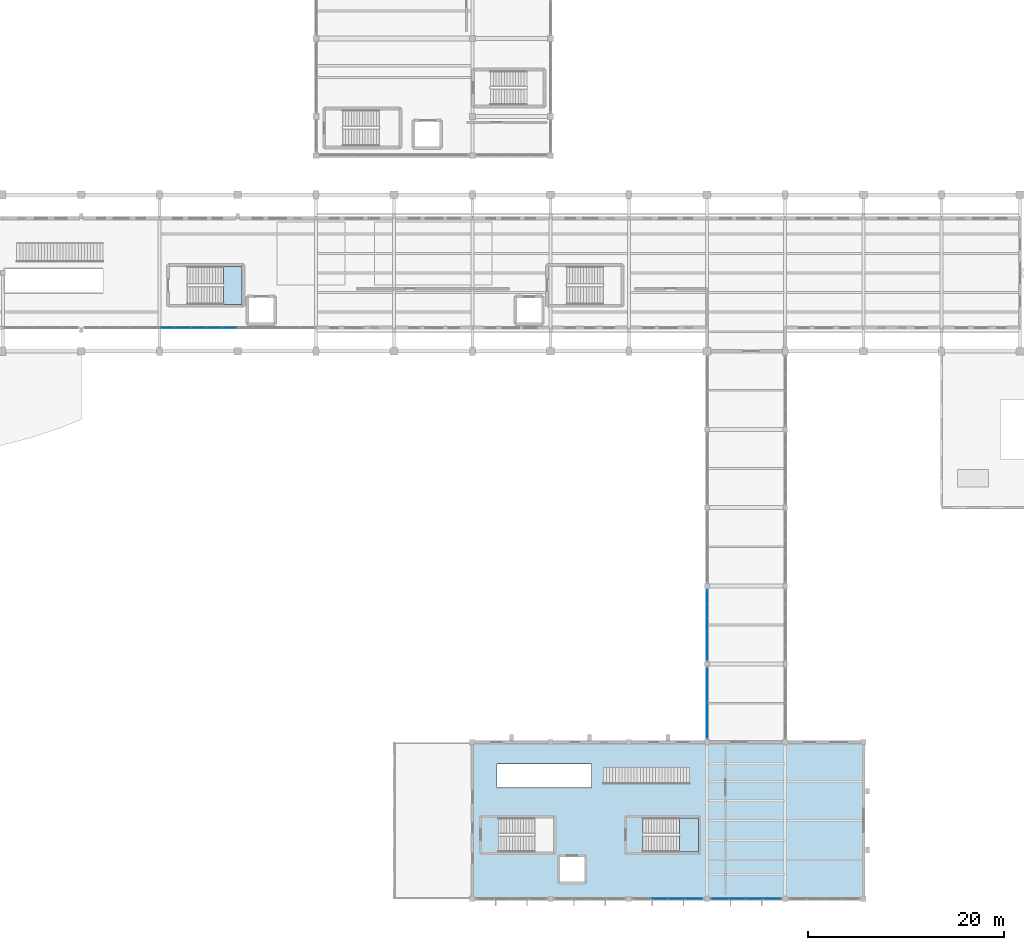
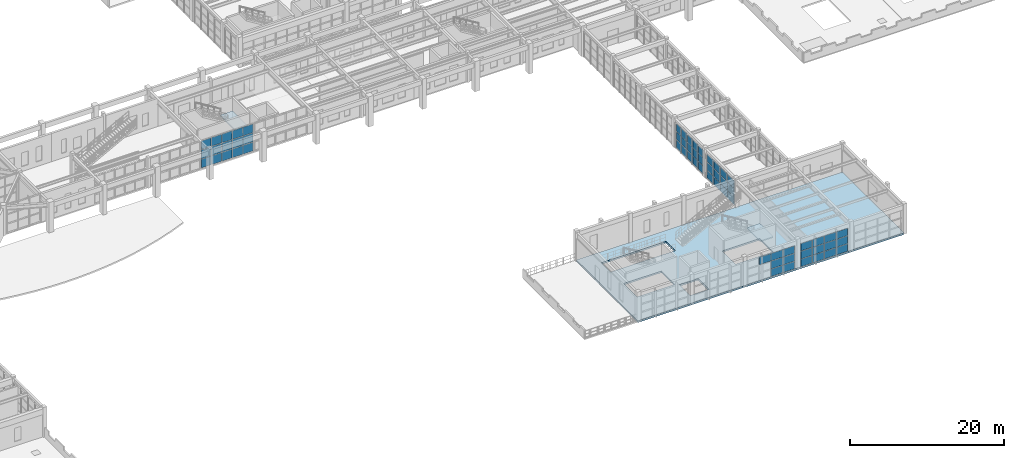
# One storey, part 31 of 59: 61 plates, 3 slabs, 7 elements without a shape of their own.
"""IFC4 building model written with IfcOpenShell, lengths in metres."""

from ifc_helpers import new_model, si_unit, direction, frame, origin, origin_2d, place, context, subcontext, project, spatial, polyline, rectangle, outline, extrude, material, layer, layer_set, type_object, element, aggregate, save


model = new_model("IFC4")

# Units and contexts
model_context = context("Model", 3, precision=1e-05, world=origin(), true_north=direction((0.0, 1.0)))
body_context = subcontext(model_context, "Body", "Model", "MODEL_VIEW")
ifc_project = project(units=[si_unit("LENGTHUNIT", "METRE"), si_unit("AREAUNIT", "SQUARE_METRE"), si_unit("VOLUMEUNIT", "CUBIC_METRE"), si_unit("PLANEANGLEUNIT", "RADIAN"), si_unit("MASSUNIT", "GRAM", prefix="KILO")], contexts=[model_context])

# Site, building, storey
site_placement = place(None, origin())
site = spatial("IfcSite", under=ifc_project, at=site_placement, CompositionType="ELEMENT")
building_placement = place(site_placement, origin())
building = spatial("IfcBuilding", under=site, at=building_placement, Name="Serraluz Foothill Cableway Terminal", CompositionType="ELEMENT")
storey_placement = place(building_placement, frame((0.0, 0.0, 4.800048828125)))
storey = spatial("IfcBuildingStorey", under=building, at=storey_placement, Name="L01", CompositionType="ELEMENT", Elevation=4.800048828125)

# Curtain wall, plates
ifc_material_1 = material(Name="Architectural bronze alloy C28000", Category="aluminium")
curtain_wall_type_1 = type_object("IfcCurtainWallType", Name="TYP-CW-740X490", PredefinedType="NOTDEFINED", material=ifc_material_1)
curtain_wall_1_placement = place(storey_placement, origin())
curtain_wall_1 = element("IfcCurtainWall", 1, at=curtain_wall_1_placement, inside=storey, type_object=curtain_wall_type_1, Name="Ribbed Glazed Curtain Wall CW-V1S-L01-64", PredefinedType="NOTDEFINED")
ifc_material_2 = material(Name="Translucent ribbed laminated channel glass", Category="glass")
ifc_layer_1 = layer(ifc_material_2, 0.028076171875, Name="Translucent ribbed laminated channel glass", Category="glass")
ifc_layer_set_1 = layer_set([ifc_layer_1], Name="Translucent ribbed laminated channel glass")
plate_type_1 = type_object("IfcPlateType", Name="TYP-CW-PNL-28", PredefinedType="CURTAIN_PANEL", material=ifc_layer_set_1)
plate_1_placement = place(storey_placement, frame((71.143310546875, 58.39990234375, 0.06005859375), z_axis=(0.0, 0.0, 1.0), x_axis=(-1.0, 0.0, 0.0)))
plate_1 = element("IfcPlate", 2, at=plate_1_placement, type_object=plate_type_1, Name="CW-07 panel 1.1", PredefinedType="CURTAIN_PANEL", context=body_context, shape_type="SweptSolid", body=[
    extrude(rectangle(XDim=1.4892578125, YDim=0.028076171875, at=origin_2d()), origin(), (0.0, 0.0, 1.0), 1.38330078125),
])
plate_2_placement = place(storey_placement, frame((71.143310546875, 58.39990234375, 1.50341796875), z_axis=(0.0, 0.0, 1.0), x_axis=(-1.0, 0.0, 0.0)))
plate_2 = element("IfcPlate", 3, at=plate_2_placement, type_object=plate_type_1, Name="CW-07 panel 1.2", PredefinedType="CURTAIN_PANEL", context=body_context, shape_type="SweptSolid", body=[
    extrude(rectangle(XDim=1.4892578125, YDim=0.028076171875, at=origin_2d()), origin(), (0.0, 0.0, 1.0), 1.413330078125),
])
plate_3_placement = place(storey_placement, frame((71.143310546875, 58.39990234375, 2.9765625), z_axis=(0.0, 0.0, 1.0), x_axis=(-1.0, 0.0, 0.0)))
plate_3 = element("IfcPlate", 4, at=plate_3_placement, type_object=plate_type_1, Name="CW-07 panel 1.3", PredefinedType="CURTAIN_PANEL", context=body_context, shape_type="SweptSolid", body=[
    extrude(rectangle(XDim=1.4892578125, YDim=0.028076171875, at=origin_2d()), origin(), (0.0, 0.0, 1.0), 1.38330078125),
])
plate_4_placement = place(storey_placement, frame((69.5791015625, 58.39990234375, 0.06005859375), z_axis=(0.0, 0.0, 1.0), x_axis=(-1.0, 0.0, 0.0)))
plate_4 = element("IfcPlate", 5, at=plate_4_placement, type_object=plate_type_1, Name="CW-07 panel 2.1", PredefinedType="CURTAIN_PANEL", context=body_context, shape_type="SweptSolid", body=[
    extrude(rectangle(XDim=1.519287109375, YDim=0.028076171875, at=origin_2d()), origin(), (0.0, 0.0, 1.0), 1.38330078125),
])
plate_5_placement = place(storey_placement, frame((69.5791015625, 58.39990234375, 1.50341796875), z_axis=(0.0, 0.0, 1.0), x_axis=(-1.0, 0.0, 0.0)))
plate_5 = element("IfcPlate", 6, at=plate_5_placement, type_object=plate_type_1, Name="CW-07 panel 2.2", PredefinedType="CURTAIN_PANEL", context=body_context, shape_type="SweptSolid", body=[
    extrude(rectangle(XDim=1.519287109375, YDim=0.028076171875, at=origin_2d()), origin(), (0.0, 0.0, 1.0), 1.413330078125),
])
plate_6_placement = place(storey_placement, frame((69.5791015625, 58.39990234375, 2.9765625), z_axis=(0.0, 0.0, 1.0), x_axis=(-1.0, 0.0, 0.0)))
plate_6 = element("IfcPlate", 7, at=plate_6_placement, type_object=plate_type_1, Name="CW-07 panel 2.3", PredefinedType="CURTAIN_PANEL", context=body_context, shape_type="SweptSolid", body=[
    extrude(rectangle(XDim=1.519287109375, YDim=0.028076171875, at=origin_2d()), origin(), (0.0, 0.0, 1.0), 1.38330078125),
])
plate_7_placement = place(storey_placement, frame((68.0, 58.39990234375, 0.06005859375), z_axis=(0.0, 0.0, 1.0), x_axis=(-1.0, 0.0, 0.0)))
plate_7 = element("IfcPlate", 8, at=plate_7_placement, type_object=plate_type_1, Name="CW-07 panel 3.1", PredefinedType="CURTAIN_PANEL", context=body_context, shape_type="SweptSolid", body=[
    extrude(rectangle(XDim=1.519287109375, YDim=0.028076171875, at=origin_2d()), origin(), (0.0, 0.0, 1.0), 1.38330078125),
])
plate_8_placement = place(storey_placement, frame((68.0, 58.39990234375, 1.50341796875), z_axis=(0.0, 0.0, 1.0), x_axis=(-1.0, 0.0, 0.0)))
plate_8 = element("IfcPlate", 9, at=plate_8_placement, type_object=plate_type_1, Name="CW-07 panel 3.2", PredefinedType="CURTAIN_PANEL", context=body_context, shape_type="SweptSolid", body=[
    extrude(rectangle(XDim=1.519287109375, YDim=0.028076171875, at=origin_2d()), origin(), (0.0, 0.0, 1.0), 1.413330078125),
])
plate_9_placement = place(storey_placement, frame((68.0, 58.39990234375, 2.9765625), z_axis=(0.0, 0.0, 1.0), x_axis=(-1.0, 0.0, 0.0)))
plate_9 = element("IfcPlate", 10, at=plate_9_placement, type_object=plate_type_1, Name="CW-07 panel 3.3", PredefinedType="CURTAIN_PANEL", context=body_context, shape_type="SweptSolid", body=[
    extrude(rectangle(XDim=1.519287109375, YDim=0.028076171875, at=origin_2d()), origin(), (0.0, 0.0, 1.0), 1.38330078125),
])
plate_10_placement = place(storey_placement, frame((66.4208984375, 58.39990234375, 0.06005859375), z_axis=(0.0, 0.0, 1.0), x_axis=(-1.0, 0.0, 0.0)))
plate_10 = element("IfcPlate", 11, at=plate_10_placement, type_object=plate_type_1, Name="CW-07 panel 4.1", PredefinedType="CURTAIN_PANEL", context=body_context, shape_type="SweptSolid", body=[
    extrude(rectangle(XDim=1.519287109375, YDim=0.028076171875, at=origin_2d()), origin(), (0.0, 0.0, 1.0), 1.38330078125),
])
plate_11_placement = place(storey_placement, frame((66.4208984375, 58.39990234375, 1.50341796875), z_axis=(0.0, 0.0, 1.0), x_axis=(-1.0, 0.0, 0.0)))
plate_11 = element("IfcPlate", 12, at=plate_11_placement, type_object=plate_type_1, Name="CW-07 panel 4.2", PredefinedType="CURTAIN_PANEL", context=body_context, shape_type="SweptSolid", body=[
    extrude(rectangle(XDim=1.519287109375, YDim=0.028076171875, at=origin_2d()), origin(), (0.0, 0.0, 1.0), 1.413330078125),
])
plate_12_placement = place(storey_placement, frame((66.4208984375, 58.39990234375, 2.9765625), z_axis=(0.0, 0.0, 1.0), x_axis=(-1.0, 0.0, 0.0)))
plate_12 = element("IfcPlate", 13, at=plate_12_placement, type_object=plate_type_1, Name="CW-07 panel 4.3", PredefinedType="CURTAIN_PANEL", context=body_context, shape_type="SweptSolid", body=[
    extrude(rectangle(XDim=1.519287109375, YDim=0.028076171875, at=origin_2d()), origin(), (0.0, 0.0, 1.0), 1.38330078125),
])
plate_13_placement = place(storey_placement, frame((64.856689453125, 58.39990234375, 0.06005859375), z_axis=(0.0, 0.0, 1.0), x_axis=(-1.0, 0.0, 0.0)))
plate_13 = element("IfcPlate", 14, at=plate_13_placement, type_object=plate_type_1, Name="CW-07 panel 5.1", PredefinedType="CURTAIN_PANEL", context=body_context, shape_type="SweptSolid", body=[
    extrude(rectangle(XDim=1.4892578125, YDim=0.028076171875, at=origin_2d()), origin(), (0.0, 0.0, 1.0), 1.38330078125),
])
plate_14_placement = place(storey_placement, frame((64.856689453125, 58.39990234375, 1.50341796875), z_axis=(0.0, 0.0, 1.0), x_axis=(-1.0, 0.0, 0.0)))
plate_14 = element("IfcPlate", 15, at=plate_14_placement, type_object=plate_type_1, Name="CW-07 panel 5.2", PredefinedType="CURTAIN_PANEL", context=body_context, shape_type="SweptSolid", body=[
    extrude(rectangle(XDim=1.4892578125, YDim=0.028076171875, at=origin_2d()), origin(), (0.0, 0.0, 1.0), 1.413330078125),
])
plate_15_placement = place(storey_placement, frame((64.856689453125, 58.39990234375, 2.9765625), z_axis=(0.0, 0.0, 1.0), x_axis=(-1.0, 0.0, 0.0)))
plate_15 = element("IfcPlate", 16, at=plate_15_placement, type_object=plate_type_1, Name="CW-07 panel 5.3", PredefinedType="CURTAIN_PANEL", context=body_context, shape_type="SweptSolid", body=[
    extrude(rectangle(XDim=1.4892578125, YDim=0.028076171875, at=origin_2d()), origin(), (0.0, 0.0, 1.0), 1.38330078125),
])
aggregate(curtain_wall_1, [plate_1, plate_2, plate_3, plate_4, plate_5, plate_6, plate_7, plate_8, plate_9, plate_10, plate_11, plate_12, plate_13, plate_14, plate_15])

curtain_wall_type_2 = type_object("IfcCurtainWallType", Name="TYP-CW-710X420", PredefinedType="NOTDEFINED", material=ifc_material_1)
curtain_wall_2_placement = place(storey_placement, origin())
curtain_wall_2 = element("IfcCurtainWall", 17, at=curtain_wall_2_placement, inside=storey, type_object=curtain_wall_type_2, Name="Ribbed Glazed Curtain Wall CW-CLW-L01-16", PredefinedType="NOTDEFINED")
plate_16_placement = place(storey_placement, frame((120.0, 17.329345703125, 0.06005859375), z_axis=(0.0, 0.0, 1.0), x_axis=(0.0, 1.0, 0.0)))
plate_16 = element("IfcPlate", 18, at=plate_16_placement, type_object=plate_type_1, Name="CW-01 panel 1.1", PredefinedType="CURTAIN_PANEL", context=body_context, shape_type="SweptSolid", body=[
    extrude(rectangle(XDim=1.708740234375, YDim=0.028076171875, at=origin_2d()), origin(), (0.0, 0.0, 1.0), 1.224609375),
])
plate_17_placement = place(storey_placement, frame((120.0, 17.329345703125, 1.3447265625), z_axis=(0.0, 0.0, 1.0), x_axis=(0.0, 1.0, 0.0)))
plate_17 = element("IfcPlate", 19, at=plate_17_placement, type_object=plate_type_1, Name="CW-01 panel 1.2", PredefinedType="CURTAIN_PANEL", context=body_context, shape_type="SweptSolid", body=[
    extrude(rectangle(XDim=1.708740234375, YDim=0.028076171875, at=origin_2d()), origin(), (0.0, 0.0, 1.0), 1.254638671875),
])
plate_18_placement = place(storey_placement, frame((120.0, 17.329345703125, 2.6591796875), z_axis=(0.0, 0.0, 1.0), x_axis=(0.0, 1.0, 0.0)))
plate_18 = element("IfcPlate", 20, at=plate_18_placement, type_object=plate_type_1, Name="CW-01 panel 1.3", PredefinedType="CURTAIN_PANEL", context=body_context, shape_type="SweptSolid", body=[
    extrude(rectangle(XDim=1.708740234375, YDim=0.028076171875, at=origin_2d()), origin(), (0.0, 0.0, 1.0), 1.224609375),
])
plate_19_placement = place(storey_placement, frame((120.0, 19.113037109375, 0.06005859375), z_axis=(0.0, 0.0, 1.0), x_axis=(0.0, 1.0, 0.0)))
plate_19 = element("IfcPlate", 21, at=plate_19_placement, type_object=plate_type_1, Name="CW-01 panel 2.1", PredefinedType="CURTAIN_PANEL", context=body_context, shape_type="SweptSolid", body=[
    extrude(rectangle(XDim=1.73876953125, YDim=0.028076171875, at=origin_2d()), origin(), (0.0, 0.0, 1.0), 1.224609375),
])
plate_20_placement = place(storey_placement, frame((120.0, 19.113037109375, 1.3447265625), z_axis=(0.0, 0.0, 1.0), x_axis=(0.0, 1.0, 0.0)))
plate_20 = element("IfcPlate", 22, at=plate_20_placement, type_object=plate_type_1, Name="CW-01 panel 2.2", PredefinedType="CURTAIN_PANEL", context=body_context, shape_type="SweptSolid", body=[
    extrude(rectangle(XDim=1.73876953125, YDim=0.028076171875, at=origin_2d()), origin(), (0.0, 0.0, 1.0), 1.254638671875),
])
plate_21_placement = place(storey_placement, frame((120.0, 19.113037109375, 2.6591796875), z_axis=(0.0, 0.0, 1.0), x_axis=(0.0, 1.0, 0.0)))
plate_21 = element("IfcPlate", 23, at=plate_21_placement, type_object=plate_type_1, Name="CW-01 panel 2.3", PredefinedType="CURTAIN_PANEL", context=body_context, shape_type="SweptSolid", body=[
    extrude(rectangle(XDim=1.73876953125, YDim=0.028076171875, at=origin_2d()), origin(), (0.0, 0.0, 1.0), 1.224609375),
])
plate_22_placement = place(storey_placement, frame((120.0, 20.911865234375, 0.06005859375), z_axis=(0.0, 0.0, 1.0), x_axis=(0.0, 1.0, 0.0)))
plate_22 = element("IfcPlate", 24, at=plate_22_placement, type_object=plate_type_1, Name="CW-01 panel 3.1", PredefinedType="CURTAIN_PANEL", context=body_context, shape_type="SweptSolid", body=[
    extrude(rectangle(XDim=1.73876953125, YDim=0.028076171875, at=origin_2d()), origin(), (0.0, 0.0, 1.0), 1.224609375),
])
plate_23_placement = place(storey_placement, frame((120.0, 20.911865234375, 1.3447265625), z_axis=(0.0, 0.0, 1.0), x_axis=(0.0, 1.0, 0.0)))
plate_23 = element("IfcPlate", 25, at=plate_23_placement, type_object=plate_type_1, Name="CW-01 panel 3.2", PredefinedType="CURTAIN_PANEL", context=body_context, shape_type="SweptSolid", body=[
    extrude(rectangle(XDim=1.73876953125, YDim=0.028076171875, at=origin_2d()), origin(), (0.0, 0.0, 1.0), 1.254638671875),
])
plate_24_placement = place(storey_placement, frame((120.0, 20.911865234375, 2.6591796875), z_axis=(0.0, 0.0, 1.0), x_axis=(0.0, 1.0, 0.0)))
plate_24 = element("IfcPlate", 26, at=plate_24_placement, type_object=plate_type_1, Name="CW-01 panel 3.3", PredefinedType="CURTAIN_PANEL", context=body_context, shape_type="SweptSolid", body=[
    extrude(rectangle(XDim=1.73876953125, YDim=0.028076171875, at=origin_2d()), origin(), (0.0, 0.0, 1.0), 1.224609375),
])
plate_25_placement = place(storey_placement, frame((120.0, 22.695556640625, 0.06005859375), z_axis=(0.0, 0.0, 1.0), x_axis=(0.0, 1.0, 0.0)))
plate_25 = element("IfcPlate", 27, at=plate_25_placement, type_object=plate_type_1, Name="CW-01 panel 4.1", PredefinedType="CURTAIN_PANEL", context=body_context, shape_type="SweptSolid", body=[
    extrude(rectangle(XDim=1.708740234375, YDim=0.028076171875, at=origin_2d()), origin(), (0.0, 0.0, 1.0), 1.224609375),
])
plate_26_placement = place(storey_placement, frame((120.0, 22.695556640625, 1.3447265625), z_axis=(0.0, 0.0, 1.0), x_axis=(0.0, 1.0, 0.0)))
plate_26 = element("IfcPlate", 28, at=plate_26_placement, type_object=plate_type_1, Name="CW-01 panel 4.2", PredefinedType="CURTAIN_PANEL", context=body_context, shape_type="SweptSolid", body=[
    extrude(rectangle(XDim=1.708740234375, YDim=0.028076171875, at=origin_2d()), origin(), (0.0, 0.0, 1.0), 1.254638671875),
])
plate_27_placement = place(storey_placement, frame((120.0, 22.695556640625, 2.6591796875), z_axis=(0.0, 0.0, 1.0), x_axis=(0.0, 1.0, 0.0)))
plate_27 = element("IfcPlate", 29, at=plate_27_placement, type_object=plate_type_1, Name="CW-01 panel 4.3", PredefinedType="CURTAIN_PANEL", context=body_context, shape_type="SweptSolid", body=[
    extrude(rectangle(XDim=1.708740234375, YDim=0.028076171875, at=origin_2d()), origin(), (0.0, 0.0, 1.0), 1.224609375),
])
aggregate(curtain_wall_2, [plate_16, plate_17, plate_18, plate_19, plate_20, plate_21, plate_22, plate_23, plate_24, plate_25, plate_26, plate_27])

curtain_wall_3_placement = place(storey_placement, origin())
curtain_wall_3 = element("IfcCurtainWall", 30, at=curtain_wall_3_placement, inside=storey, type_object=curtain_wall_type_2, Name="Ribbed Glazed Curtain Wall CW-CLW-L01-24", PredefinedType="NOTDEFINED")
plate_28_placement = place(storey_placement, frame((120.0, 25.126953125, 0.06005859375), z_axis=(0.0, 0.0, 1.0), x_axis=(0.0, 1.0, 0.0)))
plate_28 = element("IfcPlate", 31, at=plate_28_placement, type_object=plate_type_1, Name="CW-01 panel 1.1", PredefinedType="CURTAIN_PANEL", context=body_context, shape_type="SweptSolid", body=[
    extrude(rectangle(XDim=1.35400390625, YDim=0.028076171875, at=origin_2d()), origin(), (0.0, 0.0, 1.0), 1.224609375),
])
plate_29_placement = place(storey_placement, frame((120.0, 25.126953125, 1.3447265625), z_axis=(0.0, 0.0, 1.0), x_axis=(0.0, 1.0, 0.0)))
plate_29 = element("IfcPlate", 32, at=plate_29_placement, type_object=plate_type_1, Name="CW-01 panel 1.2", PredefinedType="CURTAIN_PANEL", context=body_context, shape_type="SweptSolid", body=[
    extrude(rectangle(XDim=1.35400390625, YDim=0.028076171875, at=origin_2d()), origin(), (0.0, 0.0, 1.0), 1.254638671875),
])
plate_30_placement = place(storey_placement, frame((120.0, 25.126953125, 2.6591796875), z_axis=(0.0, 0.0, 1.0), x_axis=(0.0, 1.0, 0.0)))
plate_30 = element("IfcPlate", 33, at=plate_30_placement, type_object=plate_type_1, Name="CW-01 panel 1.3", PredefinedType="CURTAIN_PANEL", context=body_context, shape_type="SweptSolid", body=[
    extrude(rectangle(XDim=1.35400390625, YDim=0.028076171875, at=origin_2d()), origin(), (0.0, 0.0, 1.0), 1.224609375),
])
plate_31_placement = place(storey_placement, frame((120.0, 26.555908203125, 0.06005859375), z_axis=(0.0, 0.0, 1.0), x_axis=(0.0, 1.0, 0.0)))
plate_31 = element("IfcPlate", 34, at=plate_31_placement, type_object=plate_type_1, Name="CW-01 panel 2.1", PredefinedType="CURTAIN_PANEL", context=body_context, shape_type="SweptSolid", body=[
    extrude(rectangle(XDim=1.384033203125, YDim=0.028076171875, at=origin_2d()), origin(), (0.0, 0.0, 1.0), 1.224609375),
])
plate_32_placement = place(storey_placement, frame((120.0, 26.555908203125, 1.3447265625), z_axis=(0.0, 0.0, 1.0), x_axis=(0.0, 1.0, 0.0)))
plate_32 = element("IfcPlate", 35, at=plate_32_placement, type_object=plate_type_1, Name="CW-01 panel 2.2", PredefinedType="CURTAIN_PANEL", context=body_context, shape_type="SweptSolid", body=[
    extrude(rectangle(XDim=1.384033203125, YDim=0.028076171875, at=origin_2d()), origin(), (0.0, 0.0, 1.0), 1.254638671875),
])
plate_33_placement = place(storey_placement, frame((120.0, 26.555908203125, 2.6591796875), z_axis=(0.0, 0.0, 1.0), x_axis=(0.0, 1.0, 0.0)))
plate_33 = element("IfcPlate", 36, at=plate_33_placement, type_object=plate_type_1, Name="CW-01 panel 2.3", PredefinedType="CURTAIN_PANEL", context=body_context, shape_type="SweptSolid", body=[
    extrude(rectangle(XDim=1.384033203125, YDim=0.028076171875, at=origin_2d()), origin(), (0.0, 0.0, 1.0), 1.224609375),
])
plate_34_placement = place(storey_placement, frame((120.0, 28.0, 0.06005859375), z_axis=(0.0, 0.0, 1.0), x_axis=(0.0, 1.0, 0.0)))
plate_34 = element("IfcPlate", 37, at=plate_34_placement, type_object=plate_type_1, Name="CW-01 panel 3.1", PredefinedType="CURTAIN_PANEL", context=body_context, shape_type="SweptSolid", body=[
    extrude(rectangle(XDim=1.384033203125, YDim=0.028076171875, at=origin_2d()), origin(), (0.0, 0.0, 1.0), 1.224609375),
])
plate_35_placement = place(storey_placement, frame((120.0, 28.0, 1.3447265625), z_axis=(0.0, 0.0, 1.0), x_axis=(0.0, 1.0, 0.0)))
plate_35 = element("IfcPlate", 38, at=plate_35_placement, type_object=plate_type_1, Name="CW-01 panel 3.2", PredefinedType="CURTAIN_PANEL", context=body_context, shape_type="SweptSolid", body=[
    extrude(rectangle(XDim=1.384033203125, YDim=0.028076171875, at=origin_2d()), origin(), (0.0, 0.0, 1.0), 1.254638671875),
])
plate_36_placement = place(storey_placement, frame((120.0, 28.0, 2.6591796875), z_axis=(0.0, 0.0, 1.0), x_axis=(0.0, 1.0, 0.0)))
plate_36 = element("IfcPlate", 39, at=plate_36_placement, type_object=plate_type_1, Name="CW-01 panel 3.3", PredefinedType="CURTAIN_PANEL", context=body_context, shape_type="SweptSolid", body=[
    extrude(rectangle(XDim=1.384033203125, YDim=0.028076171875, at=origin_2d()), origin(), (0.0, 0.0, 1.0), 1.224609375),
])
plate_37_placement = place(storey_placement, frame((120.0, 29.444091796875, 0.06005859375), z_axis=(0.0, 0.0, 1.0), x_axis=(0.0, 1.0, 0.0)))
plate_37 = element("IfcPlate", 40, at=plate_37_placement, type_object=plate_type_1, Name="CW-01 panel 4.1", PredefinedType="CURTAIN_PANEL", context=body_context, shape_type="SweptSolid", body=[
    extrude(rectangle(XDim=1.384033203125, YDim=0.028076171875, at=origin_2d()), origin(), (0.0, 0.0, 1.0), 1.224609375),
])
plate_38_placement = place(storey_placement, frame((120.0, 29.444091796875, 1.3447265625), z_axis=(0.0, 0.0, 1.0), x_axis=(0.0, 1.0, 0.0)))
plate_38 = element("IfcPlate", 41, at=plate_38_placement, type_object=plate_type_1, Name="CW-01 panel 4.2", PredefinedType="CURTAIN_PANEL", context=body_context, shape_type="SweptSolid", body=[
    extrude(rectangle(XDim=1.384033203125, YDim=0.028076171875, at=origin_2d()), origin(), (0.0, 0.0, 1.0), 1.254638671875),
])
plate_39_placement = place(storey_placement, frame((120.0, 29.444091796875, 2.6591796875), z_axis=(0.0, 0.0, 1.0), x_axis=(0.0, 1.0, 0.0)))
plate_39 = element("IfcPlate", 42, at=plate_39_placement, type_object=plate_type_1, Name="CW-01 panel 4.3", PredefinedType="CURTAIN_PANEL", context=body_context, shape_type="SweptSolid", body=[
    extrude(rectangle(XDim=1.384033203125, YDim=0.028076171875, at=origin_2d()), origin(), (0.0, 0.0, 1.0), 1.224609375),
])
plate_40_placement = place(storey_placement, frame((120.0, 30.873046875, 0.06005859375), z_axis=(0.0, 0.0, 1.0), x_axis=(0.0, 1.0, 0.0)))
plate_40 = element("IfcPlate", 43, at=plate_40_placement, type_object=plate_type_1, Name="CW-01 panel 5.1", PredefinedType="CURTAIN_PANEL", context=body_context, shape_type="SweptSolid", body=[
    extrude(rectangle(XDim=1.35400390625, YDim=0.028076171875, at=origin_2d()), origin(), (0.0, 0.0, 1.0), 1.224609375),
])
plate_41_placement = place(storey_placement, frame((120.0, 30.873046875, 1.3447265625), z_axis=(0.0, 0.0, 1.0), x_axis=(0.0, 1.0, 0.0)))
plate_41 = element("IfcPlate", 44, at=plate_41_placement, type_object=plate_type_1, Name="CW-01 panel 5.2", PredefinedType="CURTAIN_PANEL", context=body_context, shape_type="SweptSolid", body=[
    extrude(rectangle(XDim=1.35400390625, YDim=0.028076171875, at=origin_2d()), origin(), (0.0, 0.0, 1.0), 1.254638671875),
])
plate_42_placement = place(storey_placement, frame((120.0, 30.873046875, 2.6591796875), z_axis=(0.0, 0.0, 1.0), x_axis=(0.0, 1.0, 0.0)))
plate_42 = element("IfcPlate", 45, at=plate_42_placement, type_object=plate_type_1, Name="CW-01 panel 5.3", PredefinedType="CURTAIN_PANEL", context=body_context, shape_type="SweptSolid", body=[
    extrude(rectangle(XDim=1.35400390625, YDim=0.028076171875, at=origin_2d()), origin(), (0.0, 0.0, 1.0), 1.224609375),
])
aggregate(curtain_wall_3, [plate_28, plate_29, plate_30, plate_31, plate_32, plate_33, plate_34, plate_35, plate_36, plate_37, plate_38, plate_39, plate_40, plate_41, plate_42])

curtain_wall_type_3 = type_object("IfcCurtainWallType", Name="TYP-CW-480X420", PredefinedType="NOTDEFINED", material=ifc_material_1)
curtain_wall_4_placement = place(storey_placement, origin())
curtain_wall_4 = element("IfcCurtainWall", 46, at=curtain_wall_4_placement, inside=storey, type_object=curtain_wall_type_3, Name="Ribbed Glazed Curtain Wall CW-V3S-L01-112", PredefinedType="NOTDEFINED")
ifc_material_3 = material(Name="Laminated low-E safety glass", Category="glass")
ifc_layer_2 = layer(ifc_material_3, 0.031982421875, Name="Laminated low-E safety glass", Category="glass")
ifc_layer_set_2 = layer_set([ifc_layer_2], Name="Laminated low-E safety glass")
plate_type_2 = type_object("IfcPlateType", Name="TYP-CW-PNL-32", PredefinedType="CURTAIN_PANEL", material=ifc_layer_set_2)
plate_43_placement = place(storey_placement, frame((118.673828125, 0.0, 0.059814453125), z_axis=(0.0, 0.0, 1.0), x_axis=(-1.0, 0.0, 0.0)))
plate_43 = element("IfcPlate", 47, at=plate_43_placement, type_object=plate_type_2, Name="CW-15 panel 1.1", PredefinedType="CURTAIN_PANEL", context=body_context, shape_type="SweptSolid", body=[
    extrude(rectangle(XDim=1.702392578125, YDim=0.031982421875, at=origin_2d()), origin(), (0.0, 0.0, 1.0), 1.17333984375),
])
plate_44_placement = place(storey_placement, frame((118.673828125, 0.0, 1.29345703125), z_axis=(0.0, 0.0, 1.0), x_axis=(-1.0, 0.0, 0.0)))
plate_44 = element("IfcPlate", 48, at=plate_44_placement, type_object=plate_type_2, Name="CW-15 panel 1.2", PredefinedType="CURTAIN_PANEL", context=body_context, shape_type="SweptSolid", body=[
    extrude(rectangle(XDim=1.702392578125, YDim=0.031982421875, at=origin_2d()), origin(), (0.0, 0.0, 1.0), 1.203369140625),
])
plate_45_placement = place(storey_placement, frame((118.673828125, 0.0, 2.556640625), z_axis=(0.0, 0.0, 1.0), x_axis=(-1.0, 0.0, 0.0)))
plate_45 = element("IfcPlate", 49, at=plate_45_placement, type_object=plate_type_2, Name="CW-15 panel 1.3", PredefinedType="CURTAIN_PANEL", context=body_context, shape_type="SweptSolid", body=[
    extrude(rectangle(XDim=1.702392578125, YDim=0.031982421875, at=origin_2d()), origin(), (0.0, 0.0, 1.0), 1.17333984375),
])
plate_46_placement = place(storey_placement, frame((116.896240234375, 0.0, 0.059814453125), z_axis=(0.0, 0.0, 1.0), x_axis=(-1.0, 0.0, 0.0)))
plate_46 = element("IfcPlate", 50, at=plate_46_placement, type_object=plate_type_2, Name="CW-15 panel 2.1", PredefinedType="CURTAIN_PANEL", context=body_context, shape_type="SweptSolid", body=[
    extrude(rectangle(XDim=1.732421875, YDim=0.031982421875, at=origin_2d()), origin(), (0.0, 0.0, 1.0), 1.17333984375),
])
plate_47_placement = place(storey_placement, frame((116.896240234375, 0.0, 1.29345703125), z_axis=(0.0, 0.0, 1.0), x_axis=(-1.0, 0.0, 0.0)))
plate_47 = element("IfcPlate", 51, at=plate_47_placement, type_object=plate_type_2, Name="CW-15 panel 2.2", PredefinedType="CURTAIN_PANEL", context=body_context, shape_type="SweptSolid", body=[
    extrude(rectangle(XDim=1.732421875, YDim=0.031982421875, at=origin_2d()), origin(), (0.0, 0.0, 1.0), 1.203369140625),
])
plate_48_placement = place(storey_placement, frame((116.896240234375, 0.0, 2.556640625), z_axis=(0.0, 0.0, 1.0), x_axis=(-1.0, 0.0, 0.0)))
plate_48 = element("IfcPlate", 52, at=plate_48_placement, type_object=plate_type_2, Name="CW-15 panel 2.3", PredefinedType="CURTAIN_PANEL", context=body_context, shape_type="SweptSolid", body=[
    extrude(rectangle(XDim=1.732421875, YDim=0.031982421875, at=origin_2d()), origin(), (0.0, 0.0, 1.0), 1.17333984375),
])
plate_49_placement = place(storey_placement, frame((115.103759765625, 0.0, 2.556640625), z_axis=(0.0, 0.0, 1.0), x_axis=(-1.0, 0.0, 0.0)))
plate_49 = element("IfcPlate", 53, at=plate_49_placement, type_object=plate_type_2, Name="CW-15 panel 3.3", PredefinedType="CURTAIN_PANEL", context=body_context, shape_type="SweptSolid", body=[
    extrude(rectangle(XDim=1.732421875, YDim=0.031982421875, at=origin_2d()), origin(), (0.0, 0.0, 1.0), 1.17333984375),
])
aggregate(curtain_wall_4, [plate_43, plate_44, plate_45, plate_46, plate_47, plate_48, plate_49])

curtain_wall_type_4 = type_object("IfcCurtainWallType", Name="TYP-CW-440X360", PredefinedType="NOTDEFINED", material=ifc_material_1)
curtain_wall_5_placement = place(storey_placement, origin())
curtain_wall_5 = element("IfcCurtainWall", 54, at=curtain_wall_5_placement, inside=storey, type_object=curtain_wall_type_4, Name="Ribbed Glazed Curtain Wall CW-V3S-L01-120", PredefinedType="NOTDEFINED")
plate_50_placement = place(storey_placement, frame((126.673828125, 0.0, 0.059814453125), z_axis=(0.0, 0.0, 1.0), x_axis=(-1.0, 0.0, 0.0)))
plate_50 = element("IfcPlate", 55, at=plate_50_placement, type_object=plate_type_2, Name="CW-16 panel 1.1", PredefinedType="CURTAIN_PANEL", context=body_context, shape_type="SweptSolid", body=[
    extrude(rectangle(XDim=1.702392578125, YDim=0.031982421875, at=origin_2d()), origin(), (0.0, 0.0, 1.0), 1.17333984375),
])
plate_51_placement = place(storey_placement, frame((126.673828125, 0.0, 1.29345703125), z_axis=(0.0, 0.0, 1.0), x_axis=(-1.0, 0.0, 0.0)))
plate_51 = element("IfcPlate", 56, at=plate_51_placement, type_object=plate_type_2, Name="CW-16 panel 1.2", PredefinedType="CURTAIN_PANEL", context=body_context, shape_type="SweptSolid", body=[
    extrude(rectangle(XDim=1.702392578125, YDim=0.031982421875, at=origin_2d()), origin(), (0.0, 0.0, 1.0), 1.203369140625),
])
plate_52_placement = place(storey_placement, frame((126.673828125, 0.0, 2.556640625), z_axis=(0.0, 0.0, 1.0), x_axis=(-1.0, 0.0, 0.0)))
plate_52 = element("IfcPlate", 57, at=plate_52_placement, type_object=plate_type_2, Name="CW-16 panel 1.3", PredefinedType="CURTAIN_PANEL", context=body_context, shape_type="SweptSolid", body=[
    extrude(rectangle(XDim=1.702392578125, YDim=0.031982421875, at=origin_2d()), origin(), (0.0, 0.0, 1.0), 1.17333984375),
])
plate_53_placement = place(storey_placement, frame((124.896240234375, 0.0, 0.059814453125), z_axis=(0.0, 0.0, 1.0), x_axis=(-1.0, 0.0, 0.0)))
plate_53 = element("IfcPlate", 58, at=plate_53_placement, type_object=plate_type_2, Name="CW-16 panel 2.1", PredefinedType="CURTAIN_PANEL", context=body_context, shape_type="SweptSolid", body=[
    extrude(rectangle(XDim=1.732421875, YDim=0.031982421875, at=origin_2d()), origin(), (0.0, 0.0, 1.0), 1.17333984375),
])
plate_54_placement = place(storey_placement, frame((124.896240234375, 0.0, 1.29345703125), z_axis=(0.0, 0.0, 1.0), x_axis=(-1.0, 0.0, 0.0)))
plate_54 = element("IfcPlate", 59, at=plate_54_placement, type_object=plate_type_2, Name="CW-16 panel 2.2", PredefinedType="CURTAIN_PANEL", context=body_context, shape_type="SweptSolid", body=[
    extrude(rectangle(XDim=1.732421875, YDim=0.031982421875, at=origin_2d()), origin(), (0.0, 0.0, 1.0), 1.203369140625),
])
plate_55_placement = place(storey_placement, frame((124.896240234375, 0.0, 2.556640625), z_axis=(0.0, 0.0, 1.0), x_axis=(-1.0, 0.0, 0.0)))
plate_55 = element("IfcPlate", 60, at=plate_55_placement, type_object=plate_type_2, Name="CW-16 panel 2.3", PredefinedType="CURTAIN_PANEL", context=body_context, shape_type="SweptSolid", body=[
    extrude(rectangle(XDim=1.732421875, YDim=0.031982421875, at=origin_2d()), origin(), (0.0, 0.0, 1.0), 1.17333984375),
])
plate_56_placement = place(storey_placement, frame((123.103759765625, 0.0, 0.059814453125), z_axis=(0.0, 0.0, 1.0), x_axis=(-1.0, 0.0, 0.0)))
plate_56 = element("IfcPlate", 61, at=plate_56_placement, type_object=plate_type_2, Name="CW-16 panel 3.1", PredefinedType="CURTAIN_PANEL", context=body_context, shape_type="SweptSolid", body=[
    extrude(rectangle(XDim=1.732421875, YDim=0.031982421875, at=origin_2d()), origin(), (0.0, 0.0, 1.0), 1.17333984375),
])
plate_57_placement = place(storey_placement, frame((123.103759765625, 0.0, 1.29345703125), z_axis=(0.0, 0.0, 1.0), x_axis=(-1.0, 0.0, 0.0)))
plate_57 = element("IfcPlate", 62, at=plate_57_placement, type_object=plate_type_2, Name="CW-16 panel 3.2", PredefinedType="CURTAIN_PANEL", context=body_context, shape_type="SweptSolid", body=[
    extrude(rectangle(XDim=1.732421875, YDim=0.031982421875, at=origin_2d()), origin(), (0.0, 0.0, 1.0), 1.203369140625),
])
plate_58_placement = place(storey_placement, frame((123.103759765625, 0.0, 2.556640625), z_axis=(0.0, 0.0, 1.0), x_axis=(-1.0, 0.0, 0.0)))
plate_58 = element("IfcPlate", 63, at=plate_58_placement, type_object=plate_type_2, Name="CW-16 panel 3.3", PredefinedType="CURTAIN_PANEL", context=body_context, shape_type="SweptSolid", body=[
    extrude(rectangle(XDim=1.732421875, YDim=0.031982421875, at=origin_2d()), origin(), (0.0, 0.0, 1.0), 1.17333984375),
])
plate_59_placement = place(storey_placement, frame((121.326171875, 0.0, 0.059814453125), z_axis=(0.0, 0.0, 1.0), x_axis=(-1.0, 0.0, 0.0)))
plate_59 = element("IfcPlate", 64, at=plate_59_placement, type_object=plate_type_2, Name="CW-16 panel 4.1", PredefinedType="CURTAIN_PANEL", context=body_context, shape_type="SweptSolid", body=[
    extrude(rectangle(XDim=1.702392578125, YDim=0.031982421875, at=origin_2d()), origin(), (0.0, 0.0, 1.0), 1.17333984375),
])
plate_60_placement = place(storey_placement, frame((121.326171875, 0.0, 1.29345703125), z_axis=(0.0, 0.0, 1.0), x_axis=(-1.0, 0.0, 0.0)))
plate_60 = element("IfcPlate", 65, at=plate_60_placement, type_object=plate_type_2, Name="CW-16 panel 4.2", PredefinedType="CURTAIN_PANEL", context=body_context, shape_type="SweptSolid", body=[
    extrude(rectangle(XDim=1.702392578125, YDim=0.031982421875, at=origin_2d()), origin(), (0.0, 0.0, 1.0), 1.203369140625),
])
plate_61_placement = place(storey_placement, frame((121.326171875, 0.0, 2.556640625), z_axis=(0.0, 0.0, 1.0), x_axis=(-1.0, 0.0, 0.0)))
plate_61 = element("IfcPlate", 66, at=plate_61_placement, type_object=plate_type_2, Name="CW-16 panel 4.3", PredefinedType="CURTAIN_PANEL", context=body_context, shape_type="SweptSolid", body=[
    extrude(rectangle(XDim=1.702392578125, YDim=0.031982421875, at=origin_2d()), origin(), (0.0, 0.0, 1.0), 1.17333984375),
])
aggregate(curtain_wall_5, [plate_50, plate_51, plate_52, plate_53, plate_54, plate_55, plate_56, plate_57, plate_58, plate_59, plate_60, plate_61])

# Slab
ifc_material_4 = material(Name="Concrete C28/35 (f'c 28 MPa)", Category="concrete")
ifc_layer_3 = layer(ifc_material_4, 0.260009765625, Name="Concrete C28/35 (f'c 28 MPa)", Category="concrete")
ifc_layer_set_3 = layer_set([ifc_layer_3], Name="Concrete C28/35 (f'c 28 MPa)")
slab_type_1 = type_object("IfcSlabType", Name="TYP-SLB-FLR-260", PredefinedType="FLOOR", material=ifc_layer_set_3)
slab_1_placement = place(storey_placement, frame((0.0, 0.0, -0.260009765625)))
element("IfcSlab", 67, at=slab_1_placement, inside=storey, type_object=slab_type_1, Name="Structural Slab SLB-L01-V3A", PredefinedType="FLOOR", context=body_context, shape_type="SweptSolid", body=[
    extrude(outline(polyline([(96.0, 0.0), (136.0, 0.0), (136.0, 16.0), (96.0, 16.0), (96.0, 0.0)]), holes=[polyline([(98.659912109375, 4.800048828125), (104.31005859375, 4.800048828125), (104.31005859375, 8.280029296875), (98.659912109375, 8.280029296875), (98.659912109375, 4.800048828125)]), polyline([(113.4599609375, 4.800048828125), (119.110107421875, 4.800048828125), (119.110107421875, 8.280029296875), (113.4599609375, 8.280029296875), (113.4599609375, 4.800048828125)]), polyline([(104.800048828125, 1.60009765625), (107.60009765625, 1.60009765625), (107.60009765625, 4.39990234375), (104.800048828125, 4.39990234375), (104.800048828125, 1.60009765625)]), polyline([(98.5, 11.39990234375), (108.199951171875, 11.39990234375), (108.199951171875, 13.800048828125), (98.5, 13.800048828125), (98.5, 11.39990234375)])]), origin(), (0.0, 0.0, 1.0), 0.260009765625),
])

# Stair, slab
ifc_material_5 = material(Name="Concrete C35/45 (f'c 35 MPa)", Category="concrete")
stair_type_1 = type_object("IfcStairType", Name="TYP-ST-DOG-186-48", PredefinedType="HALF_TURN_STAIR", material=ifc_material_5)
stair_1_placement = place(storey_placement, origin())
stair_1 = element("IfcStair", 68, at=stair_1_placement, inside=storey, type_object=stair_type_1, Name="L01 ST-03", PredefinedType="HALF_TURN_STAIR")
ifc_layer_4 = layer(ifc_material_4, 0.199951171875, Name="Concrete C28/35 (f'c 28 MPa)", Category="concrete")
ifc_layer_set_4 = layer_set([ifc_layer_4], Name="Concrete C28/35 (f'c 28 MPa)")
slab_type_2 = type_object("IfcSlabType", Name="TYP-SLB-LND-200", PredefinedType="LANDING", material=ifc_layer_set_4)
slab_2_placement = place(storey_placement, frame((0.0, 0.0, 2.199951171875)))
slab_2 = element("IfcSlab", 69, at=slab_2_placement, type_object=slab_type_2, Name="ST-03 landing 1", PredefinedType="LANDING", context=body_context, shape_type="SweptSolid", body=[
    extrude(outline(polyline([(70.56494140625, 60.800048828125), (72.425048828125, 60.800048828125), (72.425048828125, 64.679931640625), (70.56494140625, 64.679931640625), (70.56494140625, 60.800048828125)])), origin(), (0.0, 0.0, 1.0), 0.199951171875),
])
aggregate(stair_1, [slab_2])

stair_type_2 = type_object("IfcStairType", Name="TYP-ST-DOG-166-48", PredefinedType="HALF_TURN_STAIR", material=ifc_material_5)
stair_2_placement = place(storey_placement, origin())
stair_2 = element("IfcStair", 70, at=stair_2_placement, inside=storey, type_object=stair_type_2, Name="L01 ST-07", PredefinedType="HALF_TURN_STAIR")
slab_3_placement = place(storey_placement, frame((0.0, 0.0, 2.199951171875)))
slab_3 = element("IfcSlab", 71, at=slab_3_placement, type_object=slab_type_2, Name="ST-07 landing 1", PredefinedType="LANDING", context=body_context, shape_type="SweptSolid", body=[
    extrude(outline(polyline([(117.1650390625, 4.800048828125), (119.110107421875, 4.800048828125), (119.110107421875, 8.280029296875), (117.1650390625, 8.280029296875), (117.1650390625, 4.800048828125)])), origin(), (0.0, 0.0, 1.0), 0.199951171875),
])
aggregate(stair_2, [slab_3])

save(model, "model.ifc")
